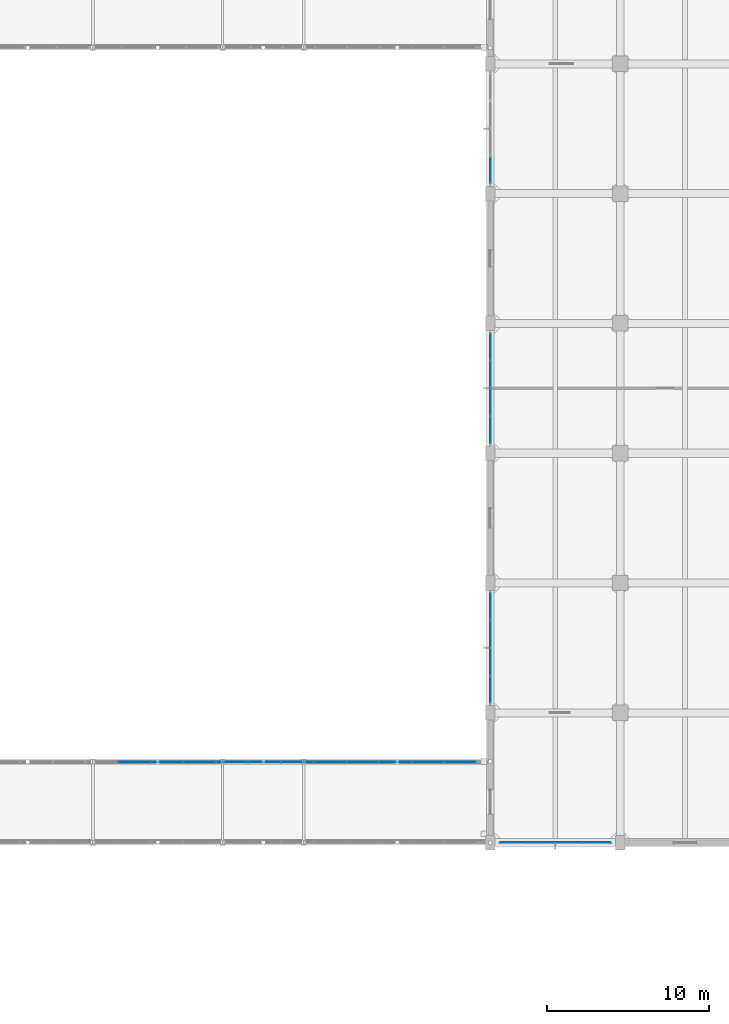
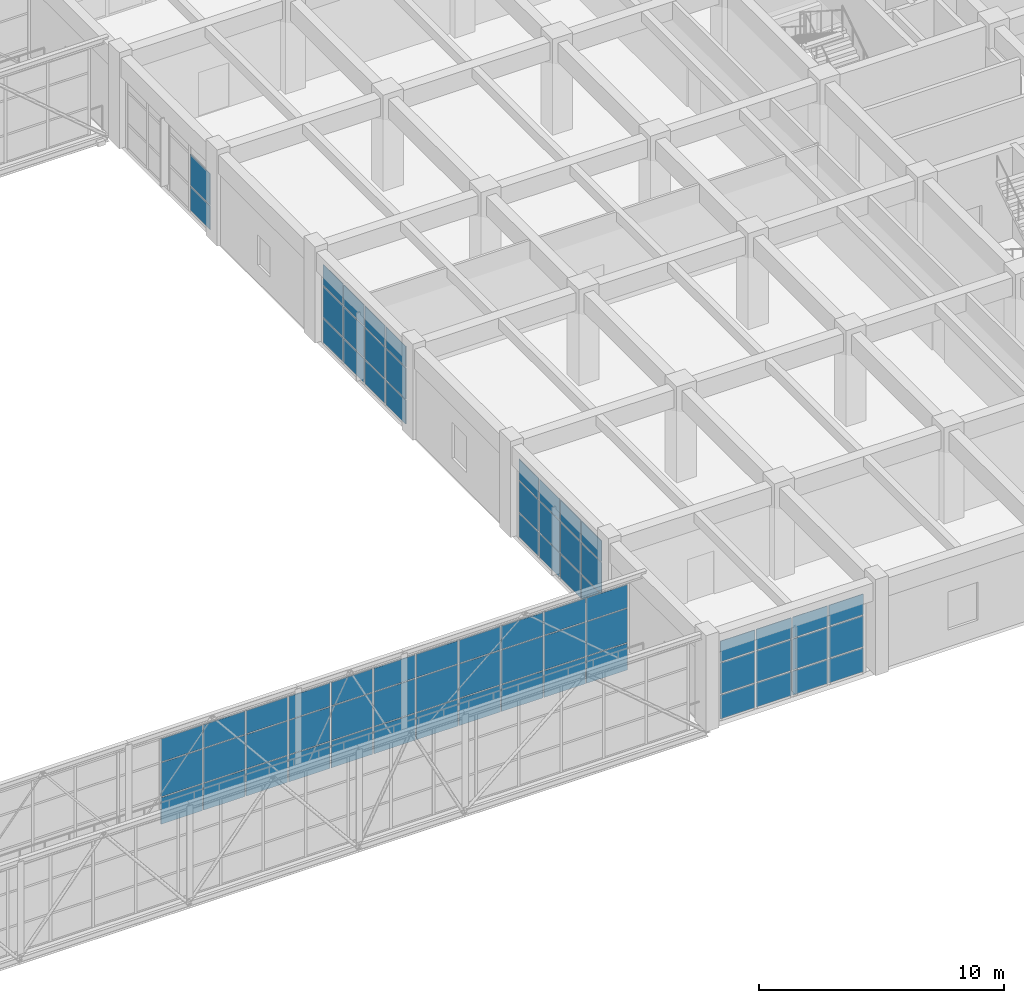
# One storey, part 206 of 248: 71 plates, 5 elements without a shape of their own.
"""IFC4 building model written with IfcOpenShell, lengths in metres."""

from ifc_helpers import new_model, si_unit, direction, frame, origin, origin_2d, place, context, subcontext, project, spatial, rectangle, extrude, material, layer, layer_set, type_object, element, aggregate, save


model = new_model("IFC4")

# Units and contexts
model_context = context("Model", 3, precision=1e-05, world=origin(), true_north=direction((0.0, 1.0)))
body_context = subcontext(model_context, "Body", "Model", "MODEL_VIEW")
ifc_project = project(units=[si_unit("LENGTHUNIT", "METRE"), si_unit("AREAUNIT", "SQUARE_METRE"), si_unit("VOLUMEUNIT", "CUBIC_METRE"), si_unit("PLANEANGLEUNIT", "RADIAN"), si_unit("MASSUNIT", "GRAM", prefix="KILO")], contexts=[model_context])

# Site, building, storey
site_placement = place(None, origin())
site = spatial("IfcSite", under=ifc_project, at=site_placement, CompositionType="ELEMENT")
building_placement = place(site_placement, origin())
building = spatial("IfcBuilding", under=site, at=building_placement, Name="Canggui Botanical Conservatory", CompositionType="ELEMENT")
storey_placement = place(building_placement, frame((0.0, 0.0, 5.39990234375)))
storey = spatial("IfcBuildingStorey", under=building, at=storey_placement, Name="L02", CompositionType="ELEMENT", Elevation=5.39990234375)

# Curtain wall, plates
ifc_material_1 = material(Name="Thermally Broken Aluminium", Category="aluminium")
ifc_layer_1 = layer(ifc_material_1, 0.1650390625, Name="Thermally Broken Aluminium", Category="aluminium")
ifc_layer_set_1 = layer_set([ifc_layer_1], Name="Thermally Broken Aluminium")
curtain_wall_type_1 = type_object("IfcCurtainWallType", Name="CW-UNIT-B", PredefinedType="USERDEFINED", material=ifc_layer_set_1)
curtain_wall_1_placement = place(storey_placement, origin())
curtain_wall_1 = element("IfcCurtainWall", 1, at=curtain_wall_1_placement, inside=storey, type_object=curtain_wall_type_1, Name="Facade Curtain Wall CW-TWR-L02-06", ObjectType="UNITISED CURTAIN WALL", PredefinedType="USERDEFINED")
ifc_material_2 = material(Name="Low-E Insulated Glass", Category="glass")
ifc_layer_2 = layer(ifc_material_2, 0.030029296875, Name="Low-E Insulated Glass", Category="glass")
ifc_layer_set_2 = layer_set([ifc_layer_2], Name="Low-E Insulated Glass")
plate_type_1 = type_object("IfcPlateType", Name="CWP-02", PredefinedType="CURTAIN_PANEL", material=ifc_layer_set_2)
plate_1_placement = place(storey_placement, frame((136.563720703125, 26.0, 0.06005859375), z_axis=(0.0, 0.0, 1.0), x_axis=(-1.0, 0.0, 0.0)))
plate_1 = element("IfcPlate", 2, at=plate_1_placement, type_object=plate_type_1, Name="CW-02 panel 1.1", PredefinedType="CURTAIN_PANEL", context=body_context, shape_type="SweptSolid", body=[
    extrude(rectangle(XDim=1.62255859375, YDim=0.030029296875, at=origin_2d()), origin(), (0.0, 0.0, 1.0), 1.18994140625),
])
plate_2_placement = place(storey_placement, frame((136.563720703125, 26.0, 1.31005859375), z_axis=(0.0, 0.0, 1.0), x_axis=(-1.0, 0.0, 0.0)))
plate_2 = element("IfcPlate", 3, at=plate_2_placement, type_object=plate_type_1, Name="CW-02 panel 1.2", PredefinedType="CURTAIN_PANEL", context=body_context, shape_type="SweptSolid", body=[
    extrude(rectangle(XDim=1.62255859375, YDim=0.030029296875, at=origin_2d()), origin(), (0.0, 0.0, 1.0), 1.5400390625),
])
plate_3_placement = place(storey_placement, frame((136.563720703125, 26.0, 2.91015625), z_axis=(0.0, 0.0, 1.0), x_axis=(-1.0, 0.0, 0.0)))
plate_3 = element("IfcPlate", 4, at=plate_3_placement, type_object=plate_type_1, Name="CW-02 panel 1.3", PredefinedType="CURTAIN_PANEL", context=body_context, shape_type="SweptSolid", body=[
    extrude(rectangle(XDim=1.62255859375, YDim=0.030029296875, at=origin_2d()), origin(), (0.0, 0.0, 1.0), 1.030029296875),
])
plate_4_placement = place(storey_placement, frame((134.860107421875, 26.0, 0.06005859375), z_axis=(0.0, 0.0, 1.0), x_axis=(-1.0, 0.0, 0.0)))
plate_4 = element("IfcPlate", 5, at=plate_4_placement, type_object=plate_type_1, Name="CW-02 panel 2.1", PredefinedType="CURTAIN_PANEL", context=body_context, shape_type="SweptSolid", body=[
    extrude(rectangle(XDim=1.655029296875, YDim=0.030029296875, at=origin_2d()), origin(), (0.0, 0.0, 1.0), 1.18994140625),
])
plate_5_placement = place(storey_placement, frame((134.860107421875, 26.0, 1.31005859375), z_axis=(0.0, 0.0, 1.0), x_axis=(-1.0, 0.0, 0.0)))
plate_5 = element("IfcPlate", 6, at=plate_5_placement, type_object=plate_type_1, Name="CW-02 panel 2.2", PredefinedType="CURTAIN_PANEL", context=body_context, shape_type="SweptSolid", body=[
    extrude(rectangle(XDim=1.655029296875, YDim=0.030029296875, at=origin_2d()), origin(), (0.0, 0.0, 1.0), 1.5400390625),
])
plate_6_placement = place(storey_placement, frame((134.860107421875, 26.0, 2.91015625), z_axis=(0.0, 0.0, 1.0), x_axis=(-1.0, 0.0, 0.0)))
plate_6 = element("IfcPlate", 7, at=plate_6_placement, type_object=plate_type_1, Name="CW-02 panel 2.3", PredefinedType="CURTAIN_PANEL", context=body_context, shape_type="SweptSolid", body=[
    extrude(rectangle(XDim=1.655029296875, YDim=0.030029296875, at=origin_2d()), origin(), (0.0, 0.0, 1.0), 1.030029296875),
])
plate_7_placement = place(storey_placement, frame((133.139892578125, 26.0, 0.06005859375), z_axis=(0.0, 0.0, 1.0), x_axis=(-1.0, 0.0, 0.0)))
plate_7 = element("IfcPlate", 8, at=plate_7_placement, type_object=plate_type_1, Name="CW-02 panel 3.1", PredefinedType="CURTAIN_PANEL", context=body_context, shape_type="SweptSolid", body=[
    extrude(rectangle(XDim=1.655029296875, YDim=0.030029296875, at=origin_2d()), origin(), (0.0, 0.0, 1.0), 1.18994140625),
])
plate_8_placement = place(storey_placement, frame((133.139892578125, 26.0, 1.31005859375), z_axis=(0.0, 0.0, 1.0), x_axis=(-1.0, 0.0, 0.0)))
plate_8 = element("IfcPlate", 9, at=plate_8_placement, type_object=plate_type_1, Name="CW-02 panel 3.2", PredefinedType="CURTAIN_PANEL", context=body_context, shape_type="SweptSolid", body=[
    extrude(rectangle(XDim=1.655029296875, YDim=0.030029296875, at=origin_2d()), origin(), (0.0, 0.0, 1.0), 1.5400390625),
])
plate_9_placement = place(storey_placement, frame((133.139892578125, 26.0, 2.91015625), z_axis=(0.0, 0.0, 1.0), x_axis=(-1.0, 0.0, 0.0)))
plate_9 = element("IfcPlate", 10, at=plate_9_placement, type_object=plate_type_1, Name="CW-02 panel 3.3", PredefinedType="CURTAIN_PANEL", context=body_context, shape_type="SweptSolid", body=[
    extrude(rectangle(XDim=1.655029296875, YDim=0.030029296875, at=origin_2d()), origin(), (0.0, 0.0, 1.0), 1.030029296875),
])
plate_10_placement = place(storey_placement, frame((131.436279296875, 26.0, 0.06005859375), z_axis=(0.0, 0.0, 1.0), x_axis=(-1.0, 0.0, 0.0)))
plate_10 = element("IfcPlate", 11, at=plate_10_placement, type_object=plate_type_1, Name="CW-02 panel 4.1", PredefinedType="CURTAIN_PANEL", context=body_context, shape_type="SweptSolid", body=[
    extrude(rectangle(XDim=1.62255859375, YDim=0.030029296875, at=origin_2d()), origin(), (0.0, 0.0, 1.0), 1.18994140625),
])
plate_11_placement = place(storey_placement, frame((131.436279296875, 26.0, 1.31005859375), z_axis=(0.0, 0.0, 1.0), x_axis=(-1.0, 0.0, 0.0)))
plate_11 = element("IfcPlate", 12, at=plate_11_placement, type_object=plate_type_1, Name="CW-02 panel 4.2", PredefinedType="CURTAIN_PANEL", context=body_context, shape_type="SweptSolid", body=[
    extrude(rectangle(XDim=1.62255859375, YDim=0.030029296875, at=origin_2d()), origin(), (0.0, 0.0, 1.0), 1.5400390625),
])
plate_12_placement = place(storey_placement, frame((131.436279296875, 26.0, 2.91015625), z_axis=(0.0, 0.0, 1.0), x_axis=(-1.0, 0.0, 0.0)))
plate_12 = element("IfcPlate", 13, at=plate_12_placement, type_object=plate_type_1, Name="CW-02 panel 4.3", PredefinedType="CURTAIN_PANEL", context=body_context, shape_type="SweptSolid", body=[
    extrude(rectangle(XDim=1.62255859375, YDim=0.030029296875, at=origin_2d()), origin(), (0.0, 0.0, 1.0), 1.030029296875),
])
aggregate(curtain_wall_1, [plate_1, plate_2, plate_3, plate_4, plate_5, plate_6, plate_7, plate_8, plate_9, plate_10, plate_11, plate_12])

curtain_wall_2_placement = place(storey_placement, origin())
curtain_wall_2 = element("IfcCurtainWall", 14, at=curtain_wall_2_placement, inside=storey, type_object=curtain_wall_type_1, Name="Facade Curtain Wall CW-TWR-L02-08", ObjectType="UNITISED CURTAIN WALL", PredefinedType="USERDEFINED")
plate_13_placement = place(storey_placement, frame((130.0, 35.436279296875, 0.06005859375), z_axis=(0.0, 0.0, 1.0), x_axis=(0.0, 1.0, 0.0)))
plate_13 = element("IfcPlate", 15, at=plate_13_placement, type_object=plate_type_1, Name="CW-02 panel 1.1", PredefinedType="CURTAIN_PANEL", context=body_context, shape_type="SweptSolid", body=[
    extrude(rectangle(XDim=1.62255859375, YDim=0.030029296875, at=origin_2d()), origin(), (0.0, 0.0, 1.0), 1.18994140625),
])
plate_14_placement = place(storey_placement, frame((130.0, 35.436279296875, 1.31005859375), z_axis=(0.0, 0.0, 1.0), x_axis=(0.0, 1.0, 0.0)))
plate_14 = element("IfcPlate", 16, at=plate_14_placement, type_object=plate_type_1, Name="CW-02 panel 1.2", PredefinedType="CURTAIN_PANEL", context=body_context, shape_type="SweptSolid", body=[
    extrude(rectangle(XDim=1.62255859375, YDim=0.030029296875, at=origin_2d()), origin(), (0.0, 0.0, 1.0), 1.5400390625),
])
plate_15_placement = place(storey_placement, frame((130.0, 35.436279296875, 2.91015625), z_axis=(0.0, 0.0, 1.0), x_axis=(0.0, 1.0, 0.0)))
plate_15 = element("IfcPlate", 17, at=plate_15_placement, type_object=plate_type_1, Name="CW-02 panel 1.3", PredefinedType="CURTAIN_PANEL", context=body_context, shape_type="SweptSolid", body=[
    extrude(rectangle(XDim=1.62255859375, YDim=0.030029296875, at=origin_2d()), origin(), (0.0, 0.0, 1.0), 1.030029296875),
])
plate_16_placement = place(storey_placement, frame((130.0, 37.139892578125, 0.06005859375), z_axis=(0.0, 0.0, 1.0), x_axis=(0.0, 1.0, 0.0)))
plate_16 = element("IfcPlate", 18, at=plate_16_placement, type_object=plate_type_1, Name="CW-02 panel 2.1", PredefinedType="CURTAIN_PANEL", context=body_context, shape_type="SweptSolid", body=[
    extrude(rectangle(XDim=1.655029296875, YDim=0.030029296875, at=origin_2d()), origin(), (0.0, 0.0, 1.0), 1.18994140625),
])
plate_17_placement = place(storey_placement, frame((130.0, 37.139892578125, 1.31005859375), z_axis=(0.0, 0.0, 1.0), x_axis=(0.0, 1.0, 0.0)))
plate_17 = element("IfcPlate", 19, at=plate_17_placement, type_object=plate_type_1, Name="CW-02 panel 2.2", PredefinedType="CURTAIN_PANEL", context=body_context, shape_type="SweptSolid", body=[
    extrude(rectangle(XDim=1.655029296875, YDim=0.030029296875, at=origin_2d()), origin(), (0.0, 0.0, 1.0), 1.5400390625),
])
plate_18_placement = place(storey_placement, frame((130.0, 37.139892578125, 2.91015625), z_axis=(0.0, 0.0, 1.0), x_axis=(0.0, 1.0, 0.0)))
plate_18 = element("IfcPlate", 20, at=plate_18_placement, type_object=plate_type_1, Name="CW-02 panel 2.3", PredefinedType="CURTAIN_PANEL", context=body_context, shape_type="SweptSolid", body=[
    extrude(rectangle(XDim=1.655029296875, YDim=0.030029296875, at=origin_2d()), origin(), (0.0, 0.0, 1.0), 1.030029296875),
])
plate_19_placement = place(storey_placement, frame((130.0, 38.860107421875, 0.06005859375), z_axis=(0.0, 0.0, 1.0), x_axis=(0.0, 1.0, 0.0)))
plate_19 = element("IfcPlate", 21, at=plate_19_placement, type_object=plate_type_1, Name="CW-02 panel 3.1", PredefinedType="CURTAIN_PANEL", context=body_context, shape_type="SweptSolid", body=[
    extrude(rectangle(XDim=1.655029296875, YDim=0.030029296875, at=origin_2d()), origin(), (0.0, 0.0, 1.0), 1.18994140625),
])
plate_20_placement = place(storey_placement, frame((130.0, 38.860107421875, 1.31005859375), z_axis=(0.0, 0.0, 1.0), x_axis=(0.0, 1.0, 0.0)))
plate_20 = element("IfcPlate", 22, at=plate_20_placement, type_object=plate_type_1, Name="CW-02 panel 3.2", PredefinedType="CURTAIN_PANEL", context=body_context, shape_type="SweptSolid", body=[
    extrude(rectangle(XDim=1.655029296875, YDim=0.030029296875, at=origin_2d()), origin(), (0.0, 0.0, 1.0), 1.5400390625),
])
plate_21_placement = place(storey_placement, frame((130.0, 38.860107421875, 2.91015625), z_axis=(0.0, 0.0, 1.0), x_axis=(0.0, 1.0, 0.0)))
plate_21 = element("IfcPlate", 23, at=plate_21_placement, type_object=plate_type_1, Name="CW-02 panel 3.3", PredefinedType="CURTAIN_PANEL", context=body_context, shape_type="SweptSolid", body=[
    extrude(rectangle(XDim=1.655029296875, YDim=0.030029296875, at=origin_2d()), origin(), (0.0, 0.0, 1.0), 1.030029296875),
])
plate_22_placement = place(storey_placement, frame((130.0, 40.563720703125, 0.06005859375), z_axis=(0.0, 0.0, 1.0), x_axis=(0.0, 1.0, 0.0)))
plate_22 = element("IfcPlate", 24, at=plate_22_placement, type_object=plate_type_1, Name="CW-02 panel 4.1", PredefinedType="CURTAIN_PANEL", context=body_context, shape_type="SweptSolid", body=[
    extrude(rectangle(XDim=1.62255859375, YDim=0.030029296875, at=origin_2d()), origin(), (0.0, 0.0, 1.0), 1.18994140625),
])
plate_23_placement = place(storey_placement, frame((130.0, 40.563720703125, 1.31005859375), z_axis=(0.0, 0.0, 1.0), x_axis=(0.0, 1.0, 0.0)))
plate_23 = element("IfcPlate", 25, at=plate_23_placement, type_object=plate_type_1, Name="CW-02 panel 4.2", PredefinedType="CURTAIN_PANEL", context=body_context, shape_type="SweptSolid", body=[
    extrude(rectangle(XDim=1.62255859375, YDim=0.030029296875, at=origin_2d()), origin(), (0.0, 0.0, 1.0), 1.5400390625),
])
plate_24_placement = place(storey_placement, frame((130.0, 40.563720703125, 2.91015625), z_axis=(0.0, 0.0, 1.0), x_axis=(0.0, 1.0, 0.0)))
plate_24 = element("IfcPlate", 26, at=plate_24_placement, type_object=plate_type_1, Name="CW-02 panel 4.3", PredefinedType="CURTAIN_PANEL", context=body_context, shape_type="SweptSolid", body=[
    extrude(rectangle(XDim=1.62255859375, YDim=0.030029296875, at=origin_2d()), origin(), (0.0, 0.0, 1.0), 1.030029296875),
])
aggregate(curtain_wall_2, [plate_13, plate_14, plate_15, plate_16, plate_17, plate_18, plate_19, plate_20, plate_21, plate_22, plate_23, plate_24])

curtain_wall_3_placement = place(storey_placement, origin())
curtain_wall_3 = element("IfcCurtainWall", 27, at=curtain_wall_3_placement, inside=storey, type_object=curtain_wall_type_1, Name="Facade Curtain Wall CW-TWR-L02-10", ObjectType="UNITISED CURTAIN WALL", PredefinedType="USERDEFINED")
plate_25_placement = place(storey_placement, frame((130.0, 51.436279296875, 0.06005859375), z_axis=(0.0, 0.0, 1.0), x_axis=(0.0, 1.0, 0.0)))
plate_25 = element("IfcPlate", 28, at=plate_25_placement, type_object=plate_type_1, Name="CW-02 panel 1.1", PredefinedType="CURTAIN_PANEL", context=body_context, shape_type="SweptSolid", body=[
    extrude(rectangle(XDim=1.62255859375, YDim=0.030029296875, at=origin_2d()), origin(), (0.0, 0.0, 1.0), 1.18994140625),
])
plate_26_placement = place(storey_placement, frame((130.0, 51.436279296875, 1.31005859375), z_axis=(0.0, 0.0, 1.0), x_axis=(0.0, 1.0, 0.0)))
plate_26 = element("IfcPlate", 29, at=plate_26_placement, type_object=plate_type_1, Name="CW-02 panel 1.2", PredefinedType="CURTAIN_PANEL", context=body_context, shape_type="SweptSolid", body=[
    extrude(rectangle(XDim=1.62255859375, YDim=0.030029296875, at=origin_2d()), origin(), (0.0, 0.0, 1.0), 1.5400390625),
])
plate_27_placement = place(storey_placement, frame((130.0, 51.436279296875, 2.91015625), z_axis=(0.0, 0.0, 1.0), x_axis=(0.0, 1.0, 0.0)))
plate_27 = element("IfcPlate", 30, at=plate_27_placement, type_object=plate_type_1, Name="CW-02 panel 1.3", PredefinedType="CURTAIN_PANEL", context=body_context, shape_type="SweptSolid", body=[
    extrude(rectangle(XDim=1.62255859375, YDim=0.030029296875, at=origin_2d()), origin(), (0.0, 0.0, 1.0), 1.030029296875),
])
plate_28_placement = place(storey_placement, frame((130.0, 53.139892578125, 0.06005859375), z_axis=(0.0, 0.0, 1.0), x_axis=(0.0, 1.0, 0.0)))
plate_28 = element("IfcPlate", 31, at=plate_28_placement, type_object=plate_type_1, Name="CW-02 panel 2.1", PredefinedType="CURTAIN_PANEL", context=body_context, shape_type="SweptSolid", body=[
    extrude(rectangle(XDim=1.655029296875, YDim=0.030029296875, at=origin_2d()), origin(), (0.0, 0.0, 1.0), 1.18994140625),
])
plate_29_placement = place(storey_placement, frame((130.0, 53.139892578125, 1.31005859375), z_axis=(0.0, 0.0, 1.0), x_axis=(0.0, 1.0, 0.0)))
plate_29 = element("IfcPlate", 32, at=plate_29_placement, type_object=plate_type_1, Name="CW-02 panel 2.2", PredefinedType="CURTAIN_PANEL", context=body_context, shape_type="SweptSolid", body=[
    extrude(rectangle(XDim=1.655029296875, YDim=0.030029296875, at=origin_2d()), origin(), (0.0, 0.0, 1.0), 1.5400390625),
])
plate_30_placement = place(storey_placement, frame((130.0, 53.139892578125, 2.91015625), z_axis=(0.0, 0.0, 1.0), x_axis=(0.0, 1.0, 0.0)))
plate_30 = element("IfcPlate", 33, at=plate_30_placement, type_object=plate_type_1, Name="CW-02 panel 2.3", PredefinedType="CURTAIN_PANEL", context=body_context, shape_type="SweptSolid", body=[
    extrude(rectangle(XDim=1.655029296875, YDim=0.030029296875, at=origin_2d()), origin(), (0.0, 0.0, 1.0), 1.030029296875),
])
plate_31_placement = place(storey_placement, frame((130.0, 54.860107421875, 0.06005859375), z_axis=(0.0, 0.0, 1.0), x_axis=(0.0, 1.0, 0.0)))
plate_31 = element("IfcPlate", 34, at=plate_31_placement, type_object=plate_type_1, Name="CW-02 panel 3.1", PredefinedType="CURTAIN_PANEL", context=body_context, shape_type="SweptSolid", body=[
    extrude(rectangle(XDim=1.655029296875, YDim=0.030029296875, at=origin_2d()), origin(), (0.0, 0.0, 1.0), 1.18994140625),
])
plate_32_placement = place(storey_placement, frame((130.0, 54.860107421875, 1.31005859375), z_axis=(0.0, 0.0, 1.0), x_axis=(0.0, 1.0, 0.0)))
plate_32 = element("IfcPlate", 35, at=plate_32_placement, type_object=plate_type_1, Name="CW-02 panel 3.2", PredefinedType="CURTAIN_PANEL", context=body_context, shape_type="SweptSolid", body=[
    extrude(rectangle(XDim=1.655029296875, YDim=0.030029296875, at=origin_2d()), origin(), (0.0, 0.0, 1.0), 1.5400390625),
])
plate_33_placement = place(storey_placement, frame((130.0, 54.860107421875, 2.91015625), z_axis=(0.0, 0.0, 1.0), x_axis=(0.0, 1.0, 0.0)))
plate_33 = element("IfcPlate", 36, at=plate_33_placement, type_object=plate_type_1, Name="CW-02 panel 3.3", PredefinedType="CURTAIN_PANEL", context=body_context, shape_type="SweptSolid", body=[
    extrude(rectangle(XDim=1.655029296875, YDim=0.030029296875, at=origin_2d()), origin(), (0.0, 0.0, 1.0), 1.030029296875),
])
plate_34_placement = place(storey_placement, frame((130.0, 56.563720703125, 0.06005859375), z_axis=(0.0, 0.0, 1.0), x_axis=(0.0, 1.0, 0.0)))
plate_34 = element("IfcPlate", 37, at=plate_34_placement, type_object=plate_type_1, Name="CW-02 panel 4.1", PredefinedType="CURTAIN_PANEL", context=body_context, shape_type="SweptSolid", body=[
    extrude(rectangle(XDim=1.62255859375, YDim=0.030029296875, at=origin_2d()), origin(), (0.0, 0.0, 1.0), 1.18994140625),
])
plate_35_placement = place(storey_placement, frame((130.0, 56.563720703125, 1.31005859375), z_axis=(0.0, 0.0, 1.0), x_axis=(0.0, 1.0, 0.0)))
plate_35 = element("IfcPlate", 38, at=plate_35_placement, type_object=plate_type_1, Name="CW-02 panel 4.2", PredefinedType="CURTAIN_PANEL", context=body_context, shape_type="SweptSolid", body=[
    extrude(rectangle(XDim=1.62255859375, YDim=0.030029296875, at=origin_2d()), origin(), (0.0, 0.0, 1.0), 1.5400390625),
])
plate_36_placement = place(storey_placement, frame((130.0, 56.563720703125, 2.91015625), z_axis=(0.0, 0.0, 1.0), x_axis=(0.0, 1.0, 0.0)))
plate_36 = element("IfcPlate", 39, at=plate_36_placement, type_object=plate_type_1, Name="CW-02 panel 4.3", PredefinedType="CURTAIN_PANEL", context=body_context, shape_type="SweptSolid", body=[
    extrude(rectangle(XDim=1.62255859375, YDim=0.030029296875, at=origin_2d()), origin(), (0.0, 0.0, 1.0), 1.030029296875),
])
aggregate(curtain_wall_3, [plate_25, plate_26, plate_27, plate_28, plate_29, plate_30, plate_31, plate_32, plate_33, plate_34, plate_35, plate_36])

curtain_wall_4_placement = place(storey_placement, origin())
curtain_wall_4 = element("IfcCurtainWall", 40, at=curtain_wall_4_placement, inside=storey, type_object=curtain_wall_type_1, Name="Facade Curtain Wall CW-TWR-L02-12", ObjectType="UNITISED CURTAIN WALL", PredefinedType="USERDEFINED")
plate_37_placement = place(storey_placement, frame((130.0, 67.436279296875, 0.06005859375), z_axis=(0.0, 0.0, 1.0), x_axis=(0.0, 1.0, 0.0)))
plate_37 = element("IfcPlate", 41, at=plate_37_placement, type_object=plate_type_1, Name="CW-02 panel 1.1", PredefinedType="CURTAIN_PANEL", context=body_context, shape_type="SweptSolid", body=[
    extrude(rectangle(XDim=1.62255859375, YDim=0.030029296875, at=origin_2d()), origin(), (0.0, 0.0, 1.0), 1.18994140625),
])
plate_38_placement = place(storey_placement, frame((130.0, 67.436279296875, 1.31005859375), z_axis=(0.0, 0.0, 1.0), x_axis=(0.0, 1.0, 0.0)))
plate_38 = element("IfcPlate", 42, at=plate_38_placement, type_object=plate_type_1, Name="CW-02 panel 1.2", PredefinedType="CURTAIN_PANEL", context=body_context, shape_type="SweptSolid", body=[
    extrude(rectangle(XDim=1.62255859375, YDim=0.030029296875, at=origin_2d()), origin(), (0.0, 0.0, 1.0), 1.5400390625),
])
aggregate(curtain_wall_4, [plate_37, plate_38])

ifc_layer_3 = layer(ifc_material_1, 0.1201171875, Name="Thermally Broken Aluminium", Category="aluminium")
ifc_layer_set_3 = layer_set([ifc_layer_3], Name="Thermally Broken Aluminium")
curtain_wall_type_2 = type_object("IfcCurtainWallType", Name="CW-STICK-B", PredefinedType="USERDEFINED", material=ifc_layer_set_3)
curtain_wall_5_placement = place(storey_placement, origin())
curtain_wall_5 = element("IfcCurtainWall", 43, at=curtain_wall_5_placement, inside=storey, type_object=curtain_wall_type_2, Name="Facade Curtain Wall CW-SB-01-2", ObjectType="STICK GLAZED WALL", PredefinedType="USERDEFINED")
ifc_layer_4 = layer(ifc_material_2, 0.0419921875, Name="Low-E Insulated Glass", Category="glass")
ifc_layer_set_4 = layer_set([ifc_layer_4], Name="Low-E Insulated Glass")
plate_type_2 = type_object("IfcPlateType", Name="CWP-05", PredefinedType="CURTAIN_PANEL", material=ifc_layer_set_4)
plate_39_placement = place(storey_placement, frame((108.04833984375, 30.9599609375, 0.044921875), z_axis=(0.0, 0.0, 1.0), x_axis=(1.0, 0.0, 0.0)))
plate_39 = element("IfcPlate", 44, at=plate_39_placement, type_object=plate_type_2, Name="CW-05 panel 21.1", PredefinedType="CURTAIN_PANEL", context=body_context, shape_type="SweptSolid", body=[
    extrude(rectangle(XDim=1.95458984375, YDim=0.0419921875, at=origin_2d()), origin(), (0.0, 0.0, 1.0), 1.324462890625),
])
plate_40_placement = place(storey_placement, frame((108.04833984375, 30.9599609375, 1.41455078125), z_axis=(0.0, 0.0, 1.0), x_axis=(1.0, 0.0, 0.0)))
plate_40 = element("IfcPlate", 45, at=plate_40_placement, type_object=plate_type_2, Name="CW-05 panel 21.2", PredefinedType="CURTAIN_PANEL", context=body_context, shape_type="SweptSolid", body=[
    extrude(rectangle(XDim=1.95458984375, YDim=0.0419921875, at=origin_2d()), origin(), (0.0, 0.0, 1.0), 1.695068359375),
])
plate_41_placement = place(storey_placement, frame((108.04833984375, 30.9599609375, 3.154541015625), z_axis=(0.0, 0.0, 1.0), x_axis=(1.0, 0.0, 0.0)))
plate_41 = element("IfcPlate", 46, at=plate_41_placement, type_object=plate_type_2, Name="CW-05 panel 21.3", PredefinedType="CURTAIN_PANEL", context=body_context, shape_type="SweptSolid", body=[
    extrude(rectangle(XDim=1.95458984375, YDim=0.0419921875, at=origin_2d()), origin(), (0.0, 0.0, 1.0), 1.150390625),
])
plate_42_placement = place(storey_placement, frame((110.05810546875, 30.9599609375, 0.044921875), z_axis=(0.0, 0.0, 1.0), x_axis=(1.0, 0.0, 0.0)))
plate_42 = element("IfcPlate", 47, at=plate_42_placement, type_object=plate_type_2, Name="CW-05 panel 22.1", PredefinedType="CURTAIN_PANEL", context=body_context, shape_type="SweptSolid", body=[
    extrude(rectangle(XDim=1.95458984375, YDim=0.0419921875, at=origin_2d()), origin(), (0.0, 0.0, 1.0), 1.324462890625),
])
plate_43_placement = place(storey_placement, frame((110.05810546875, 30.9599609375, 1.41455078125), z_axis=(0.0, 0.0, 1.0), x_axis=(1.0, 0.0, 0.0)))
plate_43 = element("IfcPlate", 48, at=plate_43_placement, type_object=plate_type_2, Name="CW-05 panel 22.2", PredefinedType="CURTAIN_PANEL", context=body_context, shape_type="SweptSolid", body=[
    extrude(rectangle(XDim=1.95458984375, YDim=0.0419921875, at=origin_2d()), origin(), (0.0, 0.0, 1.0), 1.695068359375),
])
plate_44_placement = place(storey_placement, frame((110.05810546875, 30.9599609375, 3.154541015625), z_axis=(0.0, 0.0, 1.0), x_axis=(1.0, 0.0, 0.0)))
plate_44 = element("IfcPlate", 49, at=plate_44_placement, type_object=plate_type_2, Name="CW-05 panel 22.3", PredefinedType="CURTAIN_PANEL", context=body_context, shape_type="SweptSolid", body=[
    extrude(rectangle(XDim=1.95458984375, YDim=0.0419921875, at=origin_2d()), origin(), (0.0, 0.0, 1.0), 1.150390625),
])
plate_45_placement = place(storey_placement, frame((112.067626953125, 30.9599609375, 0.044921875), z_axis=(0.0, 0.0, 1.0), x_axis=(1.0, 0.0, 0.0)))
plate_45 = element("IfcPlate", 50, at=plate_45_placement, type_object=plate_type_2, Name="CW-05 panel 23.1", PredefinedType="CURTAIN_PANEL", context=body_context, shape_type="SweptSolid", body=[
    extrude(rectangle(XDim=1.95458984375, YDim=0.0419921875, at=origin_2d()), origin(), (0.0, 0.0, 1.0), 1.324462890625),
])
plate_46_placement = place(storey_placement, frame((112.067626953125, 30.9599609375, 1.41455078125), z_axis=(0.0, 0.0, 1.0), x_axis=(1.0, 0.0, 0.0)))
plate_46 = element("IfcPlate", 51, at=plate_46_placement, type_object=plate_type_2, Name="CW-05 panel 23.2", PredefinedType="CURTAIN_PANEL", context=body_context, shape_type="SweptSolid", body=[
    extrude(rectangle(XDim=1.95458984375, YDim=0.0419921875, at=origin_2d()), origin(), (0.0, 0.0, 1.0), 1.695068359375),
])
plate_47_placement = place(storey_placement, frame((112.067626953125, 30.9599609375, 3.154541015625), z_axis=(0.0, 0.0, 1.0), x_axis=(1.0, 0.0, 0.0)))
plate_47 = element("IfcPlate", 52, at=plate_47_placement, type_object=plate_type_2, Name="CW-05 panel 23.3", PredefinedType="CURTAIN_PANEL", context=body_context, shape_type="SweptSolid", body=[
    extrude(rectangle(XDim=1.95458984375, YDim=0.0419921875, at=origin_2d()), origin(), (0.0, 0.0, 1.0), 1.150390625),
])
plate_48_placement = place(storey_placement, frame((114.077392578125, 30.9599609375, 0.044921875), z_axis=(0.0, 0.0, 1.0), x_axis=(1.0, 0.0, 0.0)))
plate_48 = element("IfcPlate", 53, at=plate_48_placement, type_object=plate_type_2, Name="CW-05 panel 24.1", PredefinedType="CURTAIN_PANEL", context=body_context, shape_type="SweptSolid", body=[
    extrude(rectangle(XDim=1.95458984375, YDim=0.0419921875, at=origin_2d()), origin(), (0.0, 0.0, 1.0), 1.324462890625),
])
plate_49_placement = place(storey_placement, frame((114.077392578125, 30.9599609375, 1.41455078125), z_axis=(0.0, 0.0, 1.0), x_axis=(1.0, 0.0, 0.0)))
plate_49 = element("IfcPlate", 54, at=plate_49_placement, type_object=plate_type_2, Name="CW-05 panel 24.2", PredefinedType="CURTAIN_PANEL", context=body_context, shape_type="SweptSolid", body=[
    extrude(rectangle(XDim=1.95458984375, YDim=0.0419921875, at=origin_2d()), origin(), (0.0, 0.0, 1.0), 1.695068359375),
])
plate_50_placement = place(storey_placement, frame((114.077392578125, 30.9599609375, 3.154541015625), z_axis=(0.0, 0.0, 1.0), x_axis=(1.0, 0.0, 0.0)))
plate_50 = element("IfcPlate", 55, at=plate_50_placement, type_object=plate_type_2, Name="CW-05 panel 24.3", PredefinedType="CURTAIN_PANEL", context=body_context, shape_type="SweptSolid", body=[
    extrude(rectangle(XDim=1.95458984375, YDim=0.0419921875, at=origin_2d()), origin(), (0.0, 0.0, 1.0), 1.150390625),
])
plate_51_placement = place(storey_placement, frame((116.087158203125, 30.9599609375, 0.044921875), z_axis=(0.0, 0.0, 1.0), x_axis=(1.0, 0.0, 0.0)))
plate_51 = element("IfcPlate", 56, at=plate_51_placement, type_object=plate_type_2, Name="CW-05 panel 25.1", PredefinedType="CURTAIN_PANEL", context=body_context, shape_type="SweptSolid", body=[
    extrude(rectangle(XDim=1.95458984375, YDim=0.0419921875, at=origin_2d()), origin(), (0.0, 0.0, 1.0), 1.324462890625),
])
plate_52_placement = place(storey_placement, frame((116.087158203125, 30.9599609375, 1.41455078125), z_axis=(0.0, 0.0, 1.0), x_axis=(1.0, 0.0, 0.0)))
plate_52 = element("IfcPlate", 57, at=plate_52_placement, type_object=plate_type_2, Name="CW-05 panel 25.2", PredefinedType="CURTAIN_PANEL", context=body_context, shape_type="SweptSolid", body=[
    extrude(rectangle(XDim=1.95458984375, YDim=0.0419921875, at=origin_2d()), origin(), (0.0, 0.0, 1.0), 1.695068359375),
])
plate_53_placement = place(storey_placement, frame((116.087158203125, 30.9599609375, 3.154541015625), z_axis=(0.0, 0.0, 1.0), x_axis=(1.0, 0.0, 0.0)))
plate_53 = element("IfcPlate", 58, at=plate_53_placement, type_object=plate_type_2, Name="CW-05 panel 25.3", PredefinedType="CURTAIN_PANEL", context=body_context, shape_type="SweptSolid", body=[
    extrude(rectangle(XDim=1.95458984375, YDim=0.0419921875, at=origin_2d()), origin(), (0.0, 0.0, 1.0), 1.150390625),
])
plate_54_placement = place(storey_placement, frame((118.0966796875, 30.9599609375, 0.044921875), z_axis=(0.0, 0.0, 1.0), x_axis=(1.0, 0.0, 0.0)))
plate_54 = element("IfcPlate", 59, at=plate_54_placement, type_object=plate_type_2, Name="CW-05 panel 26.1", PredefinedType="CURTAIN_PANEL", context=body_context, shape_type="SweptSolid", body=[
    extrude(rectangle(XDim=1.95458984375, YDim=0.0419921875, at=origin_2d()), origin(), (0.0, 0.0, 1.0), 1.324462890625),
])
plate_55_placement = place(storey_placement, frame((118.0966796875, 30.9599609375, 1.41455078125), z_axis=(0.0, 0.0, 1.0), x_axis=(1.0, 0.0, 0.0)))
plate_55 = element("IfcPlate", 60, at=plate_55_placement, type_object=plate_type_2, Name="CW-05 panel 26.2", PredefinedType="CURTAIN_PANEL", context=body_context, shape_type="SweptSolid", body=[
    extrude(rectangle(XDim=1.95458984375, YDim=0.0419921875, at=origin_2d()), origin(), (0.0, 0.0, 1.0), 1.695068359375),
])
plate_56_placement = place(storey_placement, frame((118.0966796875, 30.9599609375, 3.154541015625), z_axis=(0.0, 0.0, 1.0), x_axis=(1.0, 0.0, 0.0)))
plate_56 = element("IfcPlate", 61, at=plate_56_placement, type_object=plate_type_2, Name="CW-05 panel 26.3", PredefinedType="CURTAIN_PANEL", context=body_context, shape_type="SweptSolid", body=[
    extrude(rectangle(XDim=1.95458984375, YDim=0.0419921875, at=origin_2d()), origin(), (0.0, 0.0, 1.0), 1.150390625),
])
plate_57_placement = place(storey_placement, frame((120.1064453125, 30.9599609375, 0.044921875), z_axis=(0.0, 0.0, 1.0), x_axis=(1.0, 0.0, 0.0)))
plate_57 = element("IfcPlate", 62, at=plate_57_placement, type_object=plate_type_2, Name="CW-05 panel 27.1", PredefinedType="CURTAIN_PANEL", context=body_context, shape_type="SweptSolid", body=[
    extrude(rectangle(XDim=1.95458984375, YDim=0.0419921875, at=origin_2d()), origin(), (0.0, 0.0, 1.0), 1.324462890625),
])
plate_58_placement = place(storey_placement, frame((120.1064453125, 30.9599609375, 1.41455078125), z_axis=(0.0, 0.0, 1.0), x_axis=(1.0, 0.0, 0.0)))
plate_58 = element("IfcPlate", 63, at=plate_58_placement, type_object=plate_type_2, Name="CW-05 panel 27.2", PredefinedType="CURTAIN_PANEL", context=body_context, shape_type="SweptSolid", body=[
    extrude(rectangle(XDim=1.95458984375, YDim=0.0419921875, at=origin_2d()), origin(), (0.0, 0.0, 1.0), 1.695068359375),
])
plate_59_placement = place(storey_placement, frame((120.1064453125, 30.9599609375, 3.154541015625), z_axis=(0.0, 0.0, 1.0), x_axis=(1.0, 0.0, 0.0)))
plate_59 = element("IfcPlate", 64, at=plate_59_placement, type_object=plate_type_2, Name="CW-05 panel 27.3", PredefinedType="CURTAIN_PANEL", context=body_context, shape_type="SweptSolid", body=[
    extrude(rectangle(XDim=1.95458984375, YDim=0.0419921875, at=origin_2d()), origin(), (0.0, 0.0, 1.0), 1.150390625),
])
plate_60_placement = place(storey_placement, frame((122.1162109375, 30.9599609375, 0.044921875), z_axis=(0.0, 0.0, 1.0), x_axis=(1.0, 0.0, 0.0)))
plate_60 = element("IfcPlate", 65, at=plate_60_placement, type_object=plate_type_2, Name="CW-05 panel 28.1", PredefinedType="CURTAIN_PANEL", context=body_context, shape_type="SweptSolid", body=[
    extrude(rectangle(XDim=1.95458984375, YDim=0.0419921875, at=origin_2d()), origin(), (0.0, 0.0, 1.0), 1.324462890625),
])
plate_61_placement = place(storey_placement, frame((122.1162109375, 30.9599609375, 1.41455078125), z_axis=(0.0, 0.0, 1.0), x_axis=(1.0, 0.0, 0.0)))
plate_61 = element("IfcPlate", 66, at=plate_61_placement, type_object=plate_type_2, Name="CW-05 panel 28.2", PredefinedType="CURTAIN_PANEL", context=body_context, shape_type="SweptSolid", body=[
    extrude(rectangle(XDim=1.95458984375, YDim=0.0419921875, at=origin_2d()), origin(), (0.0, 0.0, 1.0), 1.695068359375),
])
plate_62_placement = place(storey_placement, frame((122.1162109375, 30.9599609375, 3.154541015625), z_axis=(0.0, 0.0, 1.0), x_axis=(1.0, 0.0, 0.0)))
plate_62 = element("IfcPlate", 67, at=plate_62_placement, type_object=plate_type_2, Name="CW-05 panel 28.3", PredefinedType="CURTAIN_PANEL", context=body_context, shape_type="SweptSolid", body=[
    extrude(rectangle(XDim=1.95458984375, YDim=0.0419921875, at=origin_2d()), origin(), (0.0, 0.0, 1.0), 1.150390625),
])
plate_63_placement = place(storey_placement, frame((124.125732421875, 30.9599609375, 0.044921875), z_axis=(0.0, 0.0, 1.0), x_axis=(1.0, 0.0, 0.0)))
plate_63 = element("IfcPlate", 68, at=plate_63_placement, type_object=plate_type_2, Name="CW-05 panel 29.1", PredefinedType="CURTAIN_PANEL", context=body_context, shape_type="SweptSolid", body=[
    extrude(rectangle(XDim=1.95458984375, YDim=0.0419921875, at=origin_2d()), origin(), (0.0, 0.0, 1.0), 1.324462890625),
])
plate_64_placement = place(storey_placement, frame((124.125732421875, 30.9599609375, 1.41455078125), z_axis=(0.0, 0.0, 1.0), x_axis=(1.0, 0.0, 0.0)))
plate_64 = element("IfcPlate", 69, at=plate_64_placement, type_object=plate_type_2, Name="CW-05 panel 29.2", PredefinedType="CURTAIN_PANEL", context=body_context, shape_type="SweptSolid", body=[
    extrude(rectangle(XDim=1.95458984375, YDim=0.0419921875, at=origin_2d()), origin(), (0.0, 0.0, 1.0), 1.695068359375),
])
plate_65_placement = place(storey_placement, frame((124.125732421875, 30.9599609375, 3.154541015625), z_axis=(0.0, 0.0, 1.0), x_axis=(1.0, 0.0, 0.0)))
plate_65 = element("IfcPlate", 70, at=plate_65_placement, type_object=plate_type_2, Name="CW-05 panel 29.3", PredefinedType="CURTAIN_PANEL", context=body_context, shape_type="SweptSolid", body=[
    extrude(rectangle(XDim=1.95458984375, YDim=0.0419921875, at=origin_2d()), origin(), (0.0, 0.0, 1.0), 1.150390625),
])
plate_66_placement = place(storey_placement, frame((126.135498046875, 30.9599609375, 0.044921875), z_axis=(0.0, 0.0, 1.0), x_axis=(1.0, 0.0, 0.0)))
plate_66 = element("IfcPlate", 71, at=plate_66_placement, type_object=plate_type_2, Name="CW-05 panel 30.1", PredefinedType="CURTAIN_PANEL", context=body_context, shape_type="SweptSolid", body=[
    extrude(rectangle(XDim=1.95458984375, YDim=0.0419921875, at=origin_2d()), origin(), (0.0, 0.0, 1.0), 1.324462890625),
])
plate_67_placement = place(storey_placement, frame((126.135498046875, 30.9599609375, 1.41455078125), z_axis=(0.0, 0.0, 1.0), x_axis=(1.0, 0.0, 0.0)))
plate_67 = element("IfcPlate", 72, at=plate_67_placement, type_object=plate_type_2, Name="CW-05 panel 30.2", PredefinedType="CURTAIN_PANEL", context=body_context, shape_type="SweptSolid", body=[
    extrude(rectangle(XDim=1.95458984375, YDim=0.0419921875, at=origin_2d()), origin(), (0.0, 0.0, 1.0), 1.695068359375),
])
plate_68_placement = place(storey_placement, frame((126.135498046875, 30.9599609375, 3.154541015625), z_axis=(0.0, 0.0, 1.0), x_axis=(1.0, 0.0, 0.0)))
plate_68 = element("IfcPlate", 73, at=plate_68_placement, type_object=plate_type_2, Name="CW-05 panel 30.3", PredefinedType="CURTAIN_PANEL", context=body_context, shape_type="SweptSolid", body=[
    extrude(rectangle(XDim=1.95458984375, YDim=0.0419921875, at=origin_2d()), origin(), (0.0, 0.0, 1.0), 1.150390625),
])
plate_69_placement = place(storey_placement, frame((128.13134765625, 30.9599609375, 0.044921875), z_axis=(0.0, 0.0, 1.0), x_axis=(1.0, 0.0, 0.0)))
plate_69 = element("IfcPlate", 74, at=plate_69_placement, type_object=plate_type_2, Name="CW-05 panel 31.1", PredefinedType="CURTAIN_PANEL", context=body_context, shape_type="SweptSolid", body=[
    extrude(rectangle(XDim=1.92724609375, YDim=0.0419921875, at=origin_2d()), origin(), (0.0, 0.0, 1.0), 1.324462890625),
])
plate_70_placement = place(storey_placement, frame((128.13134765625, 30.9599609375, 1.41455078125), z_axis=(0.0, 0.0, 1.0), x_axis=(1.0, 0.0, 0.0)))
plate_70 = element("IfcPlate", 75, at=plate_70_placement, type_object=plate_type_2, Name="CW-05 panel 31.2", PredefinedType="CURTAIN_PANEL", context=body_context, shape_type="SweptSolid", body=[
    extrude(rectangle(XDim=1.92724609375, YDim=0.0419921875, at=origin_2d()), origin(), (0.0, 0.0, 1.0), 1.695068359375),
])
plate_71_placement = place(storey_placement, frame((128.13134765625, 30.9599609375, 3.154541015625), z_axis=(0.0, 0.0, 1.0), x_axis=(1.0, 0.0, 0.0)))
plate_71 = element("IfcPlate", 76, at=plate_71_placement, type_object=plate_type_2, Name="CW-05 panel 31.3", PredefinedType="CURTAIN_PANEL", context=body_context, shape_type="SweptSolid", body=[
    extrude(rectangle(XDim=1.92724609375, YDim=0.0419921875, at=origin_2d()), origin(), (0.0, 0.0, 1.0), 1.150390625),
])
aggregate(curtain_wall_5, [plate_39, plate_40, plate_41, plate_42, plate_43, plate_44, plate_45, plate_46, plate_47, plate_48, plate_49, plate_50, plate_51, plate_52, plate_53, plate_54, plate_55, plate_56, plate_57, plate_58, plate_59, plate_60, plate_61, plate_62, plate_63, plate_64, plate_65, plate_66, plate_67, plate_68, plate_69, plate_70, plate_71])

save(model, "model.ifc")
